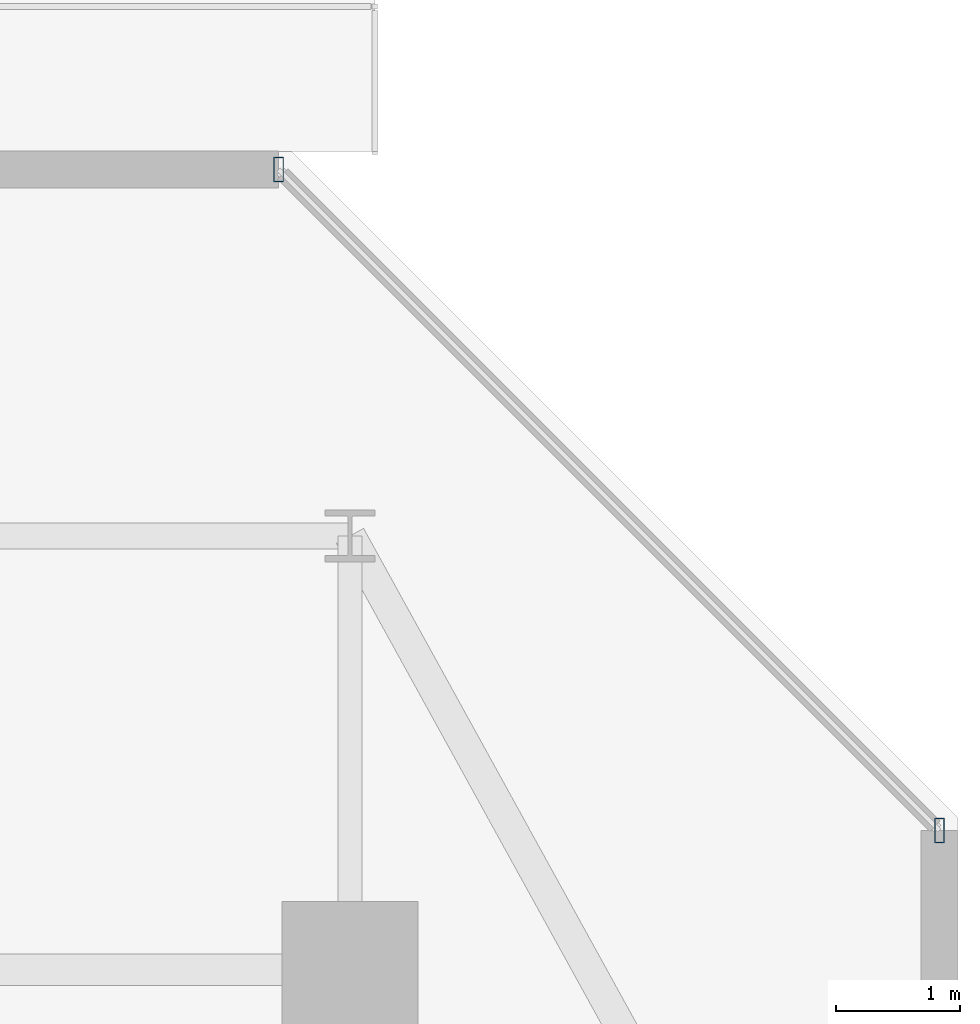
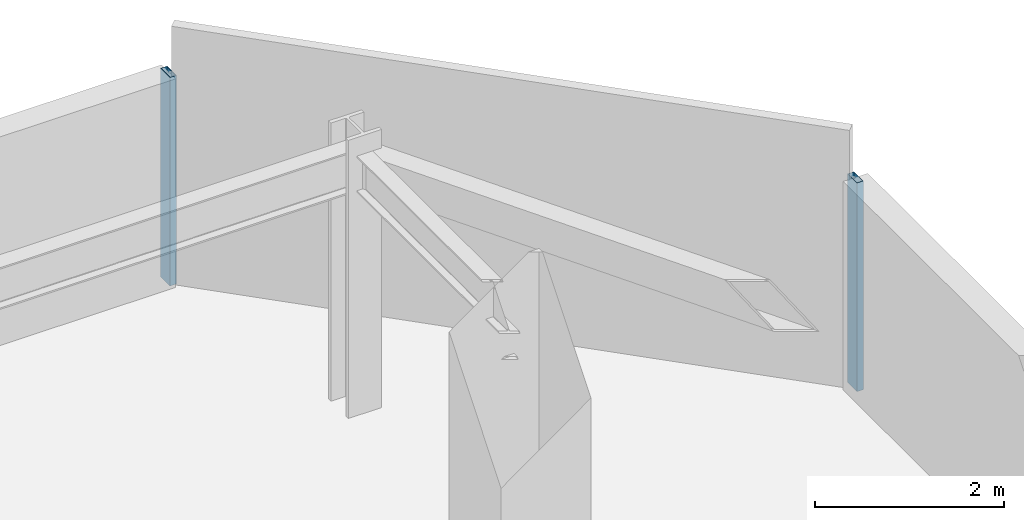
# One storey, part 17 of 33: 2 members, 1 element without a shape of its own.
"""IFC4 building model written with IfcOpenShell, lengths in metres."""

import ifcopenshell
import ifcopenshell.guid

model = None  # the IFC model being written
_history = None  # IfcOwnerHistory: only IFC2X3 demands one
_inside = {}  # id of a spatial element -> (the spatial element, [elements in it])
_under = {}  # id of a project, library or spatial element -> (it, [spatial elements below it])
_declared = {}  # id of a project -> (the project, [libraries it declares])
_typed = {}  # id of a type object -> (the type object, [elements of that type])
_made_of = {}  # id of a material, layer set ... -> (it, [elements and type objects made of it])


def new_model(schema):
    """Start an empty IFC model of exactly this schema.

    Asked for "IFC4X3", IfcOpenShell would pick the latest addendum, in which some entities
    have other attributes; the version numbers below select the first issue.
    IFC2X3 requires an IfcOwnerHistory on every rooted entity: one is made here for all.
    """
    global model, _history
    if schema == "IFC4X3":
        model = ifcopenshell.file(schema_version=(4, 3, 0, 0))
    else:
        model = ifcopenshell.file(schema=schema)
    _inside.clear()
    _under.clear()
    _declared.clear()
    _typed.clear()
    _made_of.clear()
    _history = None
    if model.schema == "IFC2X3":
        org = make("IfcOrganization", Name="unknown")
        user = make(
            "IfcPersonAndOrganization",
            ThePerson=make("IfcPerson", FamilyName="unknown"),
            TheOrganization=org,
        )
        app = make(
            "IfcApplication",
            ApplicationDeveloper=org,
            Version="unknown",
            ApplicationFullName="unknown",
            ApplicationIdentifier="unknown",
        )
        _history = make(
            "IfcOwnerHistory",
            OwningUser=user,
            OwningApplication=app,
            ChangeAction="ADDED",
            CreationDate=0,
        )
    return model


def make(cls, **values):
    """One entity of the class cls with the attributes given. An attribute that is None is left unset."""
    return model.create_entity(
        cls, **{name: value for name, value in values.items() if value is not None}
    )


def rooted(cls, **values):
    """An entity with a GlobalId (a new one), such as an element, a storey or a relation."""
    return make(cls, GlobalId=ifcopenshell.guid.new(), OwnerHistory=_history, **values)


def si_unit(unit_type, name, prefix=None):
    """IfcSIUnit, for example si_unit("LENGTHUNIT", "METRE", prefix="MILLI")."""
    return make("IfcSIUnit", UnitType=unit_type, Prefix=prefix, Name=name)


def assignment(units):
    """IfcUnitAssignment: the units of a project."""
    return None if units is None else make("IfcUnitAssignment", Units=units)


def point(xyz):
    """IfcCartesianPoint."""
    return None if xyz is None else make("IfcCartesianPoint", Coordinates=xyz)


def direction(xyz):
    """IfcDirection."""
    return None if xyz is None else make("IfcDirection", DirectionRatios=xyz)


def frame(location, z_axis=None, x_axis=None):
    """IfcAxis2Placement3D, a coordinate frame: its origin and axes. An axis left out is left unset."""
    return make(
        "IfcAxis2Placement3D",
        Location=point(location),
        Axis=direction(z_axis),
        RefDirection=direction(x_axis),
    )


def frame_2d(location, x_axis=None):
    """IfcAxis2Placement2D, a coordinate frame in the plane: its origin and x axis."""
    return make(
        "IfcAxis2Placement2D", Location=point(location), RefDirection=direction(x_axis)
    )


def origin():
    """The frame at (0, 0, 0) with its axes left unset."""
    return frame((0.0, 0.0, 0.0))


def origin_2d():
    """The frame at (0, 0) in the plane with its x axis left unset."""
    return frame_2d((0.0, 0.0))


def place(relative_to, where):
    """IfcLocalPlacement: puts the frame where relative to a parent placement (None: the world)."""
    return make(
        "IfcLocalPlacement", PlacementRelTo=relative_to, RelativePlacement=where
    )


def context(
    kind, dimensions, precision=None, world=None, true_north=None, identifier=None
):
    """IfcGeometricRepresentationContext, for example the 3D "Model" context."""
    return make(
        "IfcGeometricRepresentationContext",
        ContextIdentifier=identifier,
        ContextType=kind,
        CoordinateSpaceDimension=dimensions,
        Precision=precision,
        WorldCoordinateSystem=world,
        TrueNorth=true_north,
    )


def subcontext(parent, identifier, kind, view, scale=None):
    """IfcGeometricRepresentationSubContext, for example "Body" below "Model"."""
    return make(
        "IfcGeometricRepresentationSubContext",
        ContextIdentifier=identifier,
        ContextType=kind,
        ParentContext=parent,
        TargetScale=scale,
        TargetView=view,
    )


def project(units=None, contexts=None):
    """IfcProject with its units and contexts."""
    return rooted(
        "IfcProject",
        Name="project",
        RepresentationContexts=contexts,
        UnitsInContext=assignment(units),
    )


def spatial(cls, under=None, at=None, **own):
    """A site, building, storey or space (cls), placed at a placement, below another one or the project."""
    s = rooted(cls, ObjectPlacement=at, **own)
    if under is not None:
        _under.setdefault(under.id(), (under, []))[1].append(s)
    return s


def profile(cls, at=None, kind="AREA", **sizes):
    """A parametric profile (cls). Its sizes go by their IFC names, for example OverallWidth=200.0."""
    return make(cls, ProfileType=kind, Position=at, **sizes)


def hollow_rectangle(**sizes):
    """IfcRectangleHollowProfileDef."""
    return profile("IfcRectangleHollowProfileDef", **sizes)


def extrude(swept, where, along, depth):
    """IfcExtrudedAreaSolid: the profile swept, set in the frame where, extruded along a direction by depth."""
    return make(
        "IfcExtrudedAreaSolid",
        SweptArea=swept,
        Position=where,
        ExtrudedDirection=direction(along),
        Depth=depth,
    )


def shape(context_of_items, identifier, shape_type, items):
    """IfcShapeRepresentation: the items that make up one representation, for example the "Body"."""
    return make(
        "IfcShapeRepresentation",
        ContextOfItems=context_of_items,
        RepresentationIdentifier=identifier,
        RepresentationType=shape_type,
        Items=items,
    )


def material(Name=None, Category=None):
    """IfcMaterial."""
    return make("IfcMaterial", Name=Name, Category=Category)


def material_profile(
    of_material, cross_section, Name=None, Category=None, Priority=None
):
    """IfcMaterialProfile: a cross section and its material."""
    return make(
        "IfcMaterialProfile",
        Name=Name,
        Material=of_material,
        Profile=cross_section,
        Priority=Priority,
        Category=Category,
    )


def profile_set(profiles, Name=None, composite=None):
    """IfcMaterialProfileSet."""
    return make(
        "IfcMaterialProfileSet",
        Name=Name,
        MaterialProfiles=profiles,
        CompositeProfile=composite,
    )


def made_of(thing, what):
    """Note that an element or type object is made of a material, layer set ...; save() writes the relation."""
    if what is not None:
        _made_of.setdefault(what.id(), (what, []))[1].append(thing)
    return thing


def type_object(cls, material=None, **own):
    """A type object (cls), such as IfcWallType, which elements share."""
    return made_of(rooted(cls, **own), material)


def element(
    cls,
    number,
    at=None,
    inside=None,
    cuts=None,
    type_object=None,
    material=None,
    context=None,
    identifier="Body",
    shape_type=None,
    held_by="IfcProductDefinitionShape",
    body=None,
    shapes=None,
    **own,
):
    """One element of the class cls, such as IfcWall. Its Tag is "e" and its number.

    at: its placement. inside: the storey or other place that contains it. cuts: it is an
    opening in that element (IfcRelVoidsElement). A single representation is given by context,
    identifier, shape_type and body (its items); several are given by shapes. held_by: the class
    of the entity that holds the representations. save() writes the other relations.
    """
    e = rooted(cls, Tag="e%d" % number, ObjectPlacement=at, **own)
    if body is not None:
        shapes = [shape(context, identifier, shape_type, body)]
    if shapes is not None:
        e.Representation = make(held_by, Representations=shapes)
    if inside is not None:
        _inside.setdefault(inside.id(), (inside, []))[1].append(e)
    if cuts is not None:
        rooted(
            "IfcRelVoidsElement", RelatingBuildingElement=cuts, RelatedOpeningElement=e
        )
    if type_object is not None:
        _typed.setdefault(type_object.id(), (type_object, []))[1].append(e)
    return made_of(e, material)


def aggregate(whole, parts):
    """IfcRelAggregates: a whole, such as a stair, and the parts it consists of."""
    return rooted("IfcRelAggregates", RelatingObject=whole, RelatedObjects=parts)


def save(model, path):
    """Write the relations noted so far, then the file.

    IfcRelAggregates (storeys below a building ...), IfcRelContainedInSpatialStructure (elements
    in a storey), IfcRelDefinesByType, IfcRelAssociatesMaterial and IfcRelDeclares: one each for
    every whole, place, type object, material and project.
    """
    for whole, parts in _under.values():
        aggregate(whole, parts)
    for where, things in _inside.values():
        rooted(
            "IfcRelContainedInSpatialStructure",
            RelatedElements=things,
            RelatingStructure=where,
        )
    for kind, things in _typed.values():
        rooted("IfcRelDefinesByType", RelatedObjects=things, RelatingType=kind)
    for what, things in _made_of.values():
        rooted("IfcRelAssociatesMaterial", RelatedObjects=things, RelatingMaterial=what)
    for by, libraries in _declared.values():
        rooted("IfcRelDeclares", RelatingContext=by, RelatedDefinitions=libraries)
    model.write(path)


model = new_model("IFC4")

# Units and contexts
model_context = context("Model", 3, precision=1e-05, world=origin(), true_north=direction((0.0, 1.0)))
body_context = subcontext(model_context, "Body", "Model", "MODEL_VIEW")
ifc_project = project(units=[si_unit("LENGTHUNIT", "METRE"), si_unit("AREAUNIT", "SQUARE_METRE"), si_unit("VOLUMEUNIT", "CUBIC_METRE"), si_unit("PLANEANGLEUNIT", "RADIAN"), si_unit("MASSUNIT", "GRAM", prefix="KILO")], contexts=[model_context])

# Site, building, storey
site_placement = place(None, origin())
site = spatial("IfcSite", under=ifc_project, at=site_placement, CompositionType="ELEMENT")
building_placement = place(site_placement, origin())
building = spatial("IfcBuilding", under=site, at=building_placement, Name="Thornwick Lancets Civic Towers", CompositionType="ELEMENT")
storey_placement = place(building_placement, frame((0.0, 0.0, 185.699951171875)))
storey = spatial("IfcBuildingStorey", under=building, at=storey_placement, Name="L49", CompositionType="ELEMENT", Elevation=185.699951171875)

# Curtain wall, members
ifc_material_1 = material(Name="Mid-zone chamfered-corner unitised glass curtain wall", Category="glass")
curtain_wall_type = type_object("IfcCurtainWallType", Name="CW_SYS_04", PredefinedType="NOTDEFINED", material=ifc_material_1)
curtain_wall_placement = place(storey_placement, origin())
curtain_wall = element("IfcCurtainWall", 1, at=curtain_wall_placement, inside=storey, type_object=curtain_wall_type, Name="L49 Curtain Wall CW-L49-B-E3", PredefinedType="NOTDEFINED")
ifc_material_2 = material(Name="Thermally broken bronze aluminium S355", Category="steel")
ifc_material_profile = material_profile(ifc_material_2, hollow_rectangle(XDim=0.080078125, YDim=0.199951171875, WallThickness=0.006103515625, at=origin_2d()), Name="RHS 200x80x6")
ifc_profile_set = profile_set([ifc_material_profile], Name="Thermally broken bronze aluminium S355")
member_type = type_object("IfcMemberType", Name="CW_MUL_200", PredefinedType="MULLION", material=ifc_profile_set)
member_1_placement = place(storey_placement, frame((106.255615234375, 45.423583984375, 0.0), z_axis=(0.0, 0.0, 1.0), x_axis=(1.0, 0.0, 0.0)))
member_1 = element("IfcMember", 2, at=member_1_placement, type_object=member_type, Name="CW-L49-B-E3 Mullion 0", PredefinedType="MULLION", context=body_context, shape_type="SweptSolid", body=[
    extrude(hollow_rectangle(XDim=0.080078125, YDim=0.199951171875, WallThickness=0.006103515625, at=origin_2d()), origin(), (0.0, 0.0, 1.0), 2.699951171875),
])
member_2_placement = place(storey_placement, frame((100.923583984375, 50.755615234375, 0.0), z_axis=(0.0, 0.0, 1.0), x_axis=(1.0, 0.0, 0.0)))
member_2 = element("IfcMember", 3, at=member_2_placement, type_object=member_type, Name="CW-L49-B-E3 Mullion 1", PredefinedType="MULLION", context=body_context, shape_type="SweptSolid", body=[
    extrude(hollow_rectangle(XDim=0.080078125, YDim=0.199951171875, WallThickness=0.006103515625, at=origin_2d()), origin(), (0.0, 0.0, 1.0), 2.699951171875),
])
aggregate(curtain_wall, [member_1, member_2])

save(model, "model.ifc")
